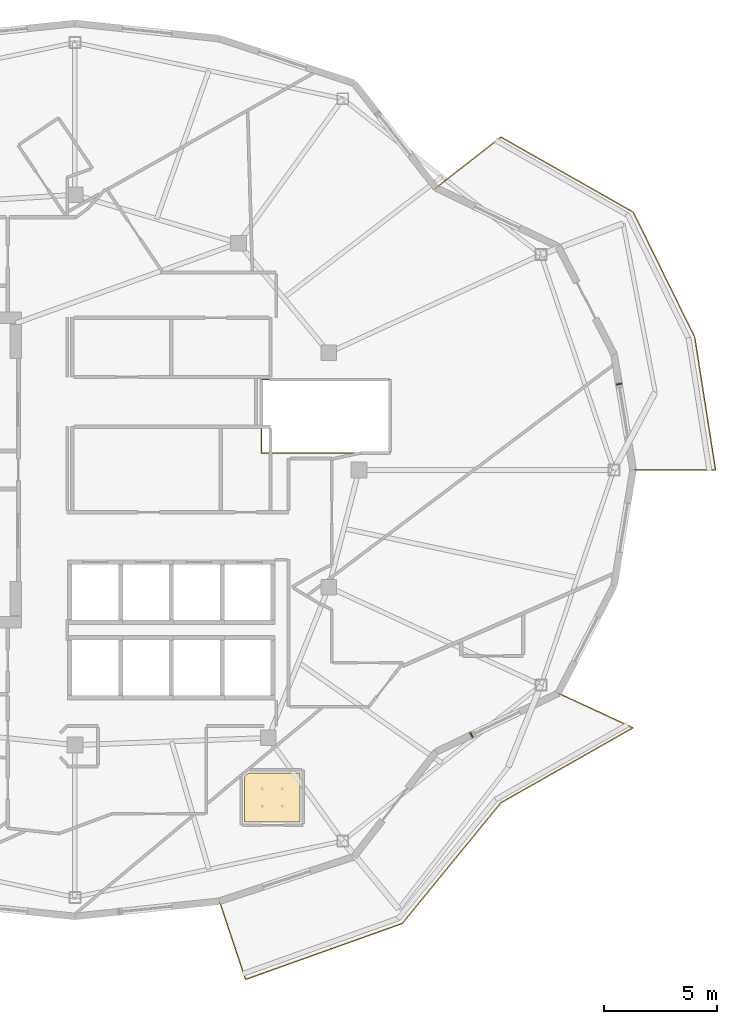
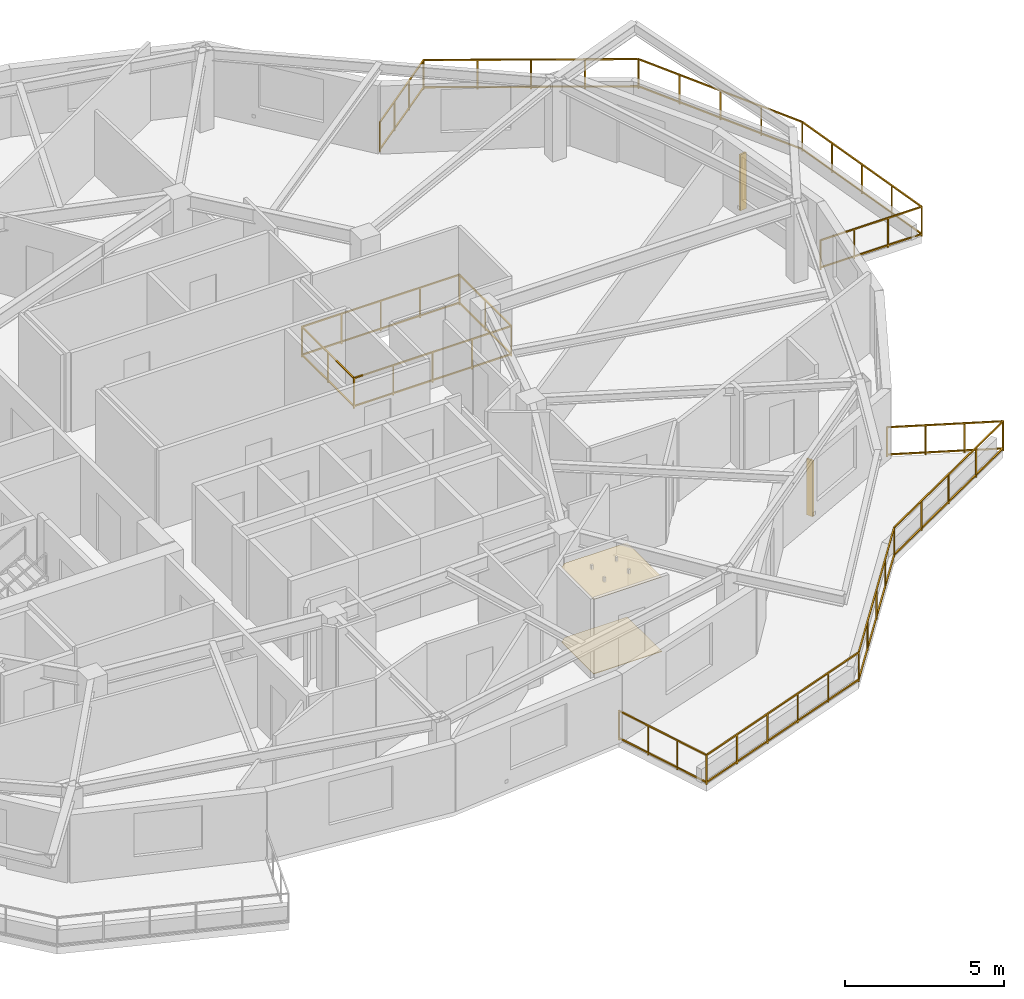
# One storey, part 12 of 13: 3 railings, 2 coverings, 2 shading devices.
"""IFC4 building model written with IfcOpenShell, lengths in metres."""

from ifc_helpers import new_model, si_unit, direction, frame, origin, origin_2d, place, context, subcontext, project, spatial, polyline, rectangle, outline, extrude, material, layer, layer_set, type_object, element, save


model = new_model("IFC4")

# Units and contexts
model_context = context("Model", 3, precision=1e-05, world=origin(), true_north=direction((0.0, 1.0)))
body_context = subcontext(model_context, "Body", "Model", "MODEL_VIEW")
ifc_project = project(units=[si_unit("LENGTHUNIT", "METRE"), si_unit("AREAUNIT", "SQUARE_METRE"), si_unit("VOLUMEUNIT", "CUBIC_METRE"), si_unit("PLANEANGLEUNIT", "RADIAN"), si_unit("MASSUNIT", "GRAM", prefix="KILO")], contexts=[model_context])

# Site, building, storey
site_placement = place(None, origin())
site = spatial("IfcSite", under=ifc_project, at=site_placement, CompositionType="ELEMENT")
building_placement = place(site_placement, origin())
building = spatial("IfcBuilding", under=site, at=building_placement, Name="Kolvaren Gate Tower and Convention Centre", CompositionType="ELEMENT")
storey_placement = place(building_placement, frame((0.0, 0.0, 196.39990234375)))
storey = spatial("IfcBuildingStorey", under=building, at=storey_placement, Name="L51", CompositionType="ELEMENT", Elevation=196.39990234375)

# Coverings
ifc_material_1 = material(Name="Perforated Mineral-Fibre Acoustic Ceiling Tile 18 mm", Category="gypsum")
ifc_layer_1 = layer(ifc_material_1, 0.01806640625)
ifc_layer_set_1 = layer_set([ifc_layer_1], Name="Perforated Mineral-Fibre Acoustic Ceiling Tile 18 mm")
covering_type_1 = type_object("IfcCoveringType", Name="ARCH-COV-CEIL-18", PredefinedType="CEILING", material=ifc_layer_set_1)
covering_1_placement = place(storey_placement, frame((0.0, 0.0, 2.85009765625)))
element("IfcCovering", 1, at=covering_1_placement, inside=storey, type_object=covering_type_1, Name="Studio Fitted Kitchen (APT-L51-01) Acoustic Suspended Ceiling", PredefinedType="CEILING", context=body_context, shape_type="SweptSolid", body=[
    extrude(outline(polyline([(40.110107421875, 13.56005859375), (40.110107421875, 11.389892578125), (37.639892578125, 11.389892578125), (37.639892578125, 13.39697265625), (37.8349609375, 13.56005859375), (40.110107421875, 13.56005859375)])), origin(), (0.0, 0.0, 1.0), 0.01806640625),
])
ifc_material_2 = material(Name="FSC Andean Oak Engineered Parquet Flooring 22 mm", Category="wood")
ifc_layer_2 = layer(ifc_material_2, 0.02197265625)
ifc_layer_set_2 = layer_set([ifc_layer_2], Name="FSC Andean Oak Engineered Parquet Flooring 22 mm")
covering_type_2 = type_object("IfcCoveringType", Name="ARCH-COV-WOOD-22", PredefinedType="FLOORING", material=ifc_layer_set_2)
covering_2_placement = place(storey_placement, origin())
element("IfcCovering", 2, at=covering_2_placement, inside=storey, type_object=covering_type_2, Name="Studio Fitted Kitchen (APT-L51-01) Interior Finish Flooring", PredefinedType="FLOORING", context=body_context, shape_type="SweptSolid", body=[
    extrude(outline(polyline([(40.110107421875, 13.56005859375), (40.110107421875, 11.389892578125), (37.639892578125, 11.389892578125), (37.639892578125, 13.39697265625), (37.8349609375, 13.56005859375), (40.110107421875, 13.56005859375)])), origin(), (0.0, 0.0, 1.0), 0.022216796875),
])

# Railings
ifc_material_3 = material(Name="Laminated Tempered Safety Glass Balustrade 21.5 mm", Category="glass")
railing_type_1 = type_object("IfcRailingType", Name="ARCH-RL-BALUST-1180", PredefinedType="BALUSTRADE", material=ifc_material_3)
railing_1_placement = place(storey_placement, frame((38.39990234375, 27.75, 0.0)))
element("IfcRailing", 3, at=railing_1_placement, inside=storey, type_object=railing_type_1, Name="Tower L51 Atrium Void Safety Balustrade", PredefinedType="BALUSTRADE", context=body_context, shape_type="SweptSolid", body=[
    extrude(rectangle(XDim=0.048095703125, YDim=0.048095703125, at=origin_2d()), frame((0.028076171875, 0.0, 1.15576171875), z_axis=(1.0, 0.0, 0.0), x_axis=(0.0, 1.0, 0.0)), (0.0, 0.0, 1.0), 5.64404296875),
    extrude(rectangle(XDim=0.048095703125, YDim=0.048095703125, at=origin_2d()), frame((0.028076171875, 0.0, 0.083984375), z_axis=(1.0, 0.0, 0.0), x_axis=(0.0, 1.0, 0.0)), (0.0, 0.0, 1.0), 5.64404296875),
    extrude(rectangle(XDim=0.048095703125, YDim=0.048095703125, at=origin_2d()), frame((5.7001953125, 0.028076171875, 1.15576171875), z_axis=(0.0, 1.0, 0.0), x_axis=(-1.0, 0.0, 0.0)), (0.0, 0.0, 1.0), 3.19384765625),
    extrude(rectangle(XDim=0.048095703125, YDim=0.048095703125, at=origin_2d()), frame((5.7001953125, 0.028076171875, 0.083984375), z_axis=(0.0, 1.0, 0.0), x_axis=(-1.0, 0.0, 0.0)), (0.0, 0.0, 1.0), 3.19384765625),
    extrude(rectangle(XDim=0.048095703125, YDim=0.048095703125, at=origin_2d()), frame((5.672119140625, 3.25, 1.15576171875), z_axis=(-1.0, 0.0, 0.0), x_axis=(0.0, -1.0, 0.0)), (0.0, 0.0, 1.0), 5.64404296875),
    extrude(rectangle(XDim=0.048095703125, YDim=0.048095703125, at=origin_2d()), frame((5.672119140625, 3.25, 0.083984375), z_axis=(-1.0, 0.0, 0.0), x_axis=(0.0, -1.0, 0.0)), (0.0, 0.0, 1.0), 5.64404296875),
    extrude(rectangle(XDim=0.048095703125, YDim=0.048095703125, at=origin_2d()), frame((0.0, 3.221923828125, 1.15576171875), z_axis=(0.0, -1.0, 0.0), x_axis=(1.0, 0.0, 0.0)), (0.0, 0.0, 1.0), 3.19384765625),
    extrude(rectangle(XDim=0.048095703125, YDim=0.048095703125, at=origin_2d()), frame((0.0, 3.221923828125, 0.083984375), z_axis=(0.0, -1.0, 0.0), x_axis=(1.0, 0.0, 0.0)), (0.0, 0.0, 1.0), 3.19384765625),
    extrude(rectangle(XDim=0.0419921875, YDim=0.0419921875, at=origin_2d()), origin(), (0.0, 0.0, 1.0), 1.179931640625),
    extrude(rectangle(XDim=0.0419921875, YDim=0.0419921875, at=origin_2d()), frame((5.7001953125, 0.0, 0.0)), (0.0, 0.0, 1.0), 1.179931640625),
    extrude(rectangle(XDim=0.0419921875, YDim=0.0419921875, at=origin_2d()), frame((1.425048828125, 0.0, 0.0)), (0.0, 0.0, 1.0), 1.1298828125),
    extrude(rectangle(XDim=0.0419921875, YDim=0.0419921875, at=origin_2d()), frame((2.85009765625, 0.0, 0.0)), (0.0, 0.0, 1.0), 1.1298828125),
    extrude(rectangle(XDim=0.0419921875, YDim=0.0419921875, at=origin_2d()), frame((4.275146484375, 0.0, 0.0)), (0.0, 0.0, 1.0), 1.1298828125),
    extrude(rectangle(XDim=0.0419921875, YDim=0.0419921875, at=origin_2d()), frame((5.7001953125, 3.25, 0.0)), (0.0, 0.0, 1.0), 1.179931640625),
    extrude(rectangle(XDim=0.0419921875, YDim=0.0419921875, at=origin_2d()), frame((5.7001953125, 1.625, 0.0)), (0.0, 0.0, 1.0), 1.1298828125),
    extrude(rectangle(XDim=0.0419921875, YDim=0.0419921875, at=origin_2d()), frame((0.0, 3.25, 0.0)), (0.0, 0.0, 1.0), 1.179931640625),
    extrude(rectangle(XDim=0.0419921875, YDim=0.0419921875, at=origin_2d()), frame((4.275146484375, 3.25, 0.0)), (0.0, 0.0, 1.0), 1.1298828125),
    extrude(rectangle(XDim=0.0419921875, YDim=0.0419921875, at=origin_2d()), frame((2.85009765625, 3.25, 0.0)), (0.0, 0.0, 1.0), 1.1298828125),
    extrude(rectangle(XDim=0.0419921875, YDim=0.0419921875, at=origin_2d()), frame((1.425048828125, 3.25, 0.0)), (0.0, 0.0, 1.0), 1.1298828125),
    extrude(rectangle(XDim=0.0419921875, YDim=0.0419921875, at=origin_2d()), frame((0.0, 1.625, 0.0)), (0.0, 0.0, 1.0), 1.1298828125),
])
ifc_material_4 = material(Name="Brushed Stainless Steel Grade 316L", Category="steel")
railing_type_2 = type_object("IfcRailingType", Name="ARCH-RL-GUARD-1150", PredefinedType="GUARDRAIL", material=ifc_material_4)
railing_2_placement = place(storey_placement, frame((54.875, 27.0, 0.0)))
element("IfcRailing", 4, at=railing_2_placement, inside=storey, type_object=railing_type_2, Name="Tower L51 Terrace Perimeter Guardrail GR-1", PredefinedType="GUARDRAIL", context=body_context, shape_type="SweptSolid", body=[
    extrude(rectangle(XDim=0.048095703125, YDim=0.048095703125, at=origin_2d()), frame((0.028076171875, 0.0, 1.1259765625), z_axis=(1.0, 0.0, 0.0), x_axis=(0.0, 1.0, 0.0)), (0.0, 0.0, 1.0), 3.603759765625),
    extrude(rectangle(XDim=0.048095703125, YDim=0.048095703125, at=origin_2d()), frame((0.028076171875, 0.0, 0.083984375), z_axis=(1.0, 0.0, 0.0), x_axis=(0.0, 1.0, 0.0)), (0.0, 0.0, 1.0), 3.603759765625),
    extrude(rectangle(XDim=0.048095703125, YDim=0.048095703125, at=origin_2d()), frame((3.655517578125, 0.027587890625, 1.1259765625), z_axis=(-0.155031225865, 0.987909570258, 0.0), x_axis=(-0.987909570258, -0.155031225865, 0.0)), (0.0, 0.0, 1.0), 5.90771484375),
    extrude(rectangle(XDim=0.048095703125, YDim=0.048095703125, at=origin_2d()), frame((3.655517578125, 0.027587890625, 0.083984375), z_axis=(-0.155031225865, 0.987909570258, 0.0), x_axis=(-0.987909570258, -0.155031225865, 0.0)), (0.0, 0.0, 1.0), 5.90771484375),
    extrude(rectangle(XDim=0.048095703125, YDim=0.048095703125, at=origin_2d()), frame((2.722900390625, 5.916748046875, 1.1259765625), z_axis=(-0.441625304244, 0.897199582396, 0.0), x_axis=(-0.897199582396, -0.441625304244, 0.0)), (0.0, 0.0, 1.0), 6.122314453125),
    extrude(rectangle(XDim=0.048095703125, YDim=0.048095703125, at=origin_2d()), frame((2.722900390625, 5.916748046875, 0.083984375), z_axis=(-0.441625304244, 0.897199582396, 0.0), x_axis=(-0.897199582396, -0.441625304244, 0.0)), (0.0, 0.0, 1.0), 6.122314453125),
    extrude(rectangle(XDim=0.048095703125, YDim=0.048095703125, at=origin_2d()), frame((-0.017578125, 11.44873046875, 1.1259765625), z_axis=(-0.869876155964, 0.493270182846, 0.0), x_axis=(-0.493270182846, -0.869876155964, 0.0)), (0.0, 0.0, 1.0), 6.6865234375),
    extrude(rectangle(XDim=0.048095703125, YDim=0.048095703125, at=origin_2d()), frame((-0.017578125, 11.44873046875, 0.083984375), z_axis=(-0.869876155964, 0.493270182846, 0.0), x_axis=(-0.493270182846, -0.869876155964, 0.0)), (0.0, 0.0, 1.0), 6.6865234375),
    extrude(rectangle(XDim=0.048095703125, YDim=0.048095703125, at=origin_2d()), frame((-5.880615234375, 14.743408203125, 1.1259765625), z_axis=(-0.787988976981, -0.61568934712, 0.0), x_axis=(0.61568934712, -0.787988976981, 0.0)), (0.0, 0.0, 1.0), 3.60400390625),
    extrude(rectangle(XDim=0.048095703125, YDim=0.048095703125, at=origin_2d()), frame((-5.880615234375, 14.743408203125, 0.083984375), z_axis=(-0.787988976981, -0.61568934712, 0.0), x_axis=(0.61568934712, -0.787988976981, 0.0)), (0.0, 0.0, 1.0), 3.60400390625),
    extrude(rectangle(XDim=0.0419921875, YDim=0.0419921875, at=origin_2d()), origin(), (0.0, 0.0, 1.0), 1.14990234375),
    extrude(rectangle(XDim=0.0419921875, YDim=0.0419921875, at=origin_2d()), frame((3.659912109375, 0.0, 0.0)), (0.0, 0.0, 1.0), 1.14990234375),
    extrude(rectangle(XDim=0.0419921875, YDim=0.0419921875, at=origin_2d()), frame((1.219970703125, 0.0, 0.0)), (0.0, 0.0, 1.0), 1.099853515625),
    extrude(rectangle(XDim=0.0419921875, YDim=0.0419921875, at=origin_2d()), frame((2.43994140625, 0.0, 0.0)), (0.0, 0.0, 1.0), 1.099853515625),
    extrude(rectangle(XDim=0.0419921875, YDim=0.0419921875, at=origin_2d()), frame((2.7353515625, 5.8916015625, 0.0)), (0.0, 0.0, 1.0), 1.14990234375),
    extrude(rectangle(XDim=0.0419921875, YDim=0.0419921875, at=origin_2d()), frame((3.4287109375, 1.472900390625, 0.0)), (0.0, 0.0, 1.0), 1.099853515625),
    extrude(rectangle(XDim=0.0419921875, YDim=0.0419921875, at=origin_2d()), frame((3.19775390625, 2.94580078125, 0.0)), (0.0, 0.0, 1.0), 1.099853515625),
    extrude(rectangle(XDim=0.0419921875, YDim=0.0419921875, at=origin_2d()), frame((2.966552734375, 4.418701171875, 0.0)), (0.0, 0.0, 1.0), 1.099853515625),
    extrude(rectangle(XDim=0.0419921875, YDim=0.0419921875, at=origin_2d()), frame((0.0068359375, 11.434814453125, 0.0)), (0.0, 0.0, 1.0), 1.14990234375),
    extrude(rectangle(XDim=0.0419921875, YDim=0.0419921875, at=origin_2d()), frame((2.05322265625, 7.27734375, 0.0)), (0.0, 0.0, 1.0), 1.099853515625),
    extrude(rectangle(XDim=0.0419921875, YDim=0.0419921875, at=origin_2d()), frame((1.37109375, 8.6630859375, 0.0)), (0.0, 0.0, 1.0), 1.099853515625),
    extrude(rectangle(XDim=0.0419921875, YDim=0.0419921875, at=origin_2d()), frame((0.68896484375, 10.049072265625, 0.0)), (0.0, 0.0, 1.0), 1.099853515625),
    extrude(rectangle(XDim=0.0419921875, YDim=0.0419921875, at=origin_2d()), frame((-5.8583984375, 14.7607421875, 0.0)), (0.0, 0.0, 1.0), 1.14990234375),
    extrude(rectangle(XDim=0.0419921875, YDim=0.0419921875, at=origin_2d()), frame((-1.45947265625, 12.266357421875, 0.0)), (0.0, 0.0, 1.0), 1.099853515625),
    extrude(rectangle(XDim=0.0419921875, YDim=0.0419921875, at=origin_2d()), frame((-2.92578125, 13.09765625, 0.0)), (0.0, 0.0, 1.0), 1.099853515625),
    extrude(rectangle(XDim=0.0419921875, YDim=0.0419921875, at=origin_2d()), frame((-4.39208984375, 13.92919921875, 0.0)), (0.0, 0.0, 1.0), 1.099853515625),
    extrude(rectangle(XDim=0.0419921875, YDim=0.0419921875, at=origin_2d()), frame((-8.742431640625, 12.50732421875, 0.0)), (0.0, 0.0, 1.0), 1.14990234375),
    extrude(rectangle(XDim=0.0419921875, YDim=0.0419921875, at=origin_2d()), frame((-6.81982421875, 14.009521484375, 0.0)), (0.0, 0.0, 1.0), 1.099853515625),
    extrude(rectangle(XDim=0.0419921875, YDim=0.0419921875, at=origin_2d()), frame((-7.781005859375, 13.258544921875, 0.0)), (0.0, 0.0, 1.0), 1.099853515625),
])
railing_3_placement = place(storey_placement, frame((36.53076171875, 7.874755859375, 0.0)))
element("IfcRailing", 5, at=railing_3_placement, inside=storey, type_object=railing_type_2, Name="Tower L51 Terrace Perimeter Guardrail GR-4", PredefinedType="GUARDRAIL", context=body_context, shape_type="SweptSolid", body=[
    extrude(rectangle(XDim=0.048095703125, YDim=0.048095703125, at=origin_2d()), frame((0.0087890625, -0.026611328125, 1.1259765625), z_axis=(0.317588247294, -0.948228719867, 0.0), x_axis=(0.948228719867, 0.317588247294, 0.0)), (0.0, 0.0, 1.0), 3.603759765625),
    extrude(rectangle(XDim=0.048095703125, YDim=0.048095703125, at=origin_2d()), frame((0.0087890625, -0.026611328125, 0.083984375), z_axis=(0.317588247294, -0.948228719867, 0.0), x_axis=(0.948228719867, 0.317588247294, 0.0)), (0.0, 0.0, 1.0), 3.603759765625),
    extrude(rectangle(XDim=0.048095703125, YDim=0.048095703125, at=origin_2d()), frame((1.188720703125, -3.4609375, 1.1259765625), z_axis=(0.941783827204, 0.336219010197, 0.0), x_axis=(-0.336219010197, 0.941783827204, 0.0)), (0.0, 0.0, 1.0), 7.322265625),
    extrude(rectangle(XDim=0.048095703125, YDim=0.048095703125, at=origin_2d()), frame((1.188720703125, -3.4609375, 0.083984375), z_axis=(0.941783827204, 0.336219010197, 0.0), x_axis=(-0.336219010197, 0.941783827204, 0.0)), (0.0, 0.0, 1.0), 7.322265625),
    extrude(rectangle(XDim=0.048095703125, YDim=0.048095703125, at=origin_2d()), frame((8.12890625, -0.968017578125, 1.1259765625), z_axis=(0.632718487063, 0.77438189295, 0.0), x_axis=(-0.77438189295, 0.632718487063, 0.0)), (0.0, 0.0, 1.0), 6.858154296875),
    extrude(rectangle(XDim=0.048095703125, YDim=0.048095703125, at=origin_2d()), frame((8.12890625, -0.968017578125, 0.083984375), z_axis=(0.632718487063, 0.77438189295, 0.0), x_axis=(-0.77438189295, 0.632718487063, 0.0)), (0.0, 0.0, 1.0), 6.858154296875),
    extrude(rectangle(XDim=0.048095703125, YDim=0.048095703125, at=origin_2d()), frame((12.51025390625, 4.37841796875, 1.1259765625), z_axis=(0.869876155964, 0.493270182846, 0.0), x_axis=(-0.493270182846, 0.869876155964, 0.0)), (0.0, 0.0, 1.0), 6.6865234375),
    extrude(rectangle(XDim=0.048095703125, YDim=0.048095703125, at=origin_2d()), frame((12.51025390625, 4.37841796875, 0.083984375), z_axis=(0.869876155964, 0.493270182846, 0.0), x_axis=(-0.493270182846, 0.869876155964, 0.0)), (0.0, 0.0, 1.0), 6.6865234375),
    extrude(rectangle(XDim=0.048095703125, YDim=0.048095703125, at=origin_2d()), frame((18.32568359375, 7.7021484375, 1.1259765625), z_axis=(-0.907820723829, 0.419358478377, 0.0), x_axis=(-0.419358478377, -0.907820723829, 0.0)), (0.0, 0.0, 1.0), 3.60400390625),
    extrude(rectangle(XDim=0.048095703125, YDim=0.048095703125, at=origin_2d()), frame((18.32568359375, 7.7021484375, 0.083984375), z_axis=(-0.907820723829, 0.419358478377, 0.0), x_axis=(-0.419358478377, -0.907820723829, 0.0)), (0.0, 0.0, 1.0), 3.60400390625),
    extrude(rectangle(XDim=0.0419921875, YDim=0.0419921875, at=origin_2d()), origin(), (0.0, 0.0, 1.0), 1.14990234375),
    extrude(rectangle(XDim=0.0419921875, YDim=0.0419921875, at=origin_2d()), frame((1.162353515625, -3.470458984375, 0.0)), (0.0, 0.0, 1.0), 1.14990234375),
    extrude(rectangle(XDim=0.0419921875, YDim=0.0419921875, at=origin_2d()), frame((0.387451171875, -1.15673828125, 0.0)), (0.0, 0.0, 1.0), 1.099853515625),
    extrude(rectangle(XDim=0.0419921875, YDim=0.0419921875, at=origin_2d()), frame((0.77490234375, -2.313720703125, 0.0)), (0.0, 0.0, 1.0), 1.099853515625),
    extrude(rectangle(XDim=0.0419921875, YDim=0.0419921875, at=origin_2d()), frame((8.111083984375, -0.98974609375, 0.0)), (0.0, 0.0, 1.0), 1.14990234375),
    extrude(rectangle(XDim=0.0419921875, YDim=0.0419921875, at=origin_2d()), frame((2.552001953125, -2.974365234375, 0.0)), (0.0, 0.0, 1.0), 1.099853515625),
    extrude(rectangle(XDim=0.0419921875, YDim=0.0419921875, at=origin_2d()), frame((3.94189453125, -2.478271484375, 0.0)), (0.0, 0.0, 1.0), 1.099853515625),
    extrude(rectangle(XDim=0.0419921875, YDim=0.0419921875, at=origin_2d()), frame((5.33154296875, -1.98193359375, 0.0)), (0.0, 0.0, 1.0), 1.099853515625),
    extrude(rectangle(XDim=0.0419921875, YDim=0.0419921875, at=origin_2d()), frame((6.721435546875, -1.48583984375, 0.0)), (0.0, 0.0, 1.0), 1.099853515625),
    extrude(rectangle(XDim=0.0419921875, YDim=0.0419921875, at=origin_2d()), frame((12.48583984375, 4.364501953125, 0.0)), (0.0, 0.0, 1.0), 1.14990234375),
    extrude(rectangle(XDim=0.0419921875, YDim=0.0419921875, at=origin_2d()), frame((9.204833984375, 0.348876953125, 0.0)), (0.0, 0.0, 1.0), 1.099853515625),
    extrude(rectangle(XDim=0.0419921875, YDim=0.0419921875, at=origin_2d()), frame((10.29833984375, 1.6875, 0.0)), (0.0, 0.0, 1.0), 1.099853515625),
    extrude(rectangle(XDim=0.0419921875, YDim=0.0419921875, at=origin_2d()), frame((11.39208984375, 3.02587890625, 0.0)), (0.0, 0.0, 1.0), 1.099853515625),
    extrude(rectangle(XDim=0.0419921875, YDim=0.0419921875, at=origin_2d()), frame((18.35107421875, 7.6904296875, 0.0)), (0.0, 0.0, 1.0), 1.14990234375),
    extrude(rectangle(XDim=0.0419921875, YDim=0.0419921875, at=origin_2d()), frame((13.9521484375, 5.196044921875, 0.0)), (0.0, 0.0, 1.0), 1.099853515625),
    extrude(rectangle(XDim=0.0419921875, YDim=0.0419921875, at=origin_2d()), frame((15.41845703125, 6.02734375, 0.0)), (0.0, 0.0, 1.0), 1.099853515625),
    extrude(rectangle(XDim=0.0419921875, YDim=0.0419921875, at=origin_2d()), frame((16.884765625, 6.85888671875, 0.0)), (0.0, 0.0, 1.0), 1.099853515625),
    extrude(rectangle(XDim=0.0419921875, YDim=0.0419921875, at=origin_2d()), frame((15.0283203125, 9.225341796875, 0.0)), (0.0, 0.0, 1.0), 1.14990234375),
    extrude(rectangle(XDim=0.0419921875, YDim=0.0419921875, at=origin_2d()), frame((17.243408203125, 8.2021484375, 0.0)), (0.0, 0.0, 1.0), 1.099853515625),
    extrude(rectangle(XDim=0.0419921875, YDim=0.0419921875, at=origin_2d()), frame((16.135986328125, 8.713623046875, 0.0)), (0.0, 0.0, 1.0), 1.099853515625),
])

# Shading devices
ifc_material_5 = material(Name="Kiln-Fired Bogota Terracotta Ceramic Louvre Profile", Category="masonry")
shading_device_type = type_object("IfcShadingDeviceType", Name="ARCH-SHD-FIN-180", PredefinedType="JALOUSIE", material=ifc_material_5)
for number, where, z_axis, x_axis, name in (
    (6, (54.248779296875, 30.805419921875, 0.22021484375), (0.0, 0.0, 1.0), (0.162375401515, -0.986729055508, 0.0), "Ceramic Vertical Brise-Soleil Fin FN-L51-00"),
    (7, (47.7099609375, 15.25048828125, 0.22021484375), (0.0, 0.0, 1.0), (0.90135914581, 0.433072384555, 0.0), "Ceramic Vertical Brise-Soleil Fin FN-L51-21"),
):
    element("IfcShadingDevice", number, at=place(storey_placement, frame(where, z_axis=z_axis, x_axis=x_axis)), inside=storey, type_object=shading_device_type, Name=name, PredefinedType="JALOUSIE", context=body_context, shape_type="SweptSolid", body=[
        extrude(rectangle(XDim=0.06005859375, YDim=0.239990234375, at=origin_2d()), origin(), (0.0, 0.0, 1.0), 2.14990234375),
    ])

save(model, "model.ifc")
